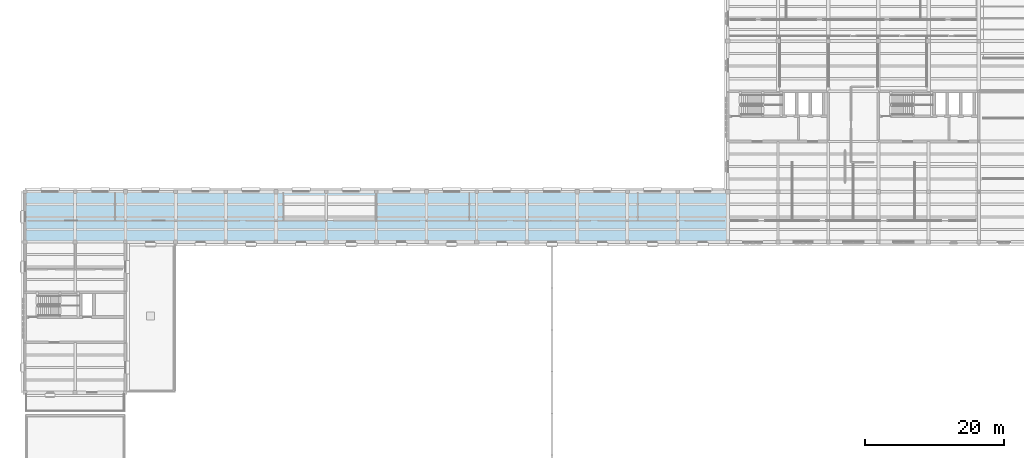
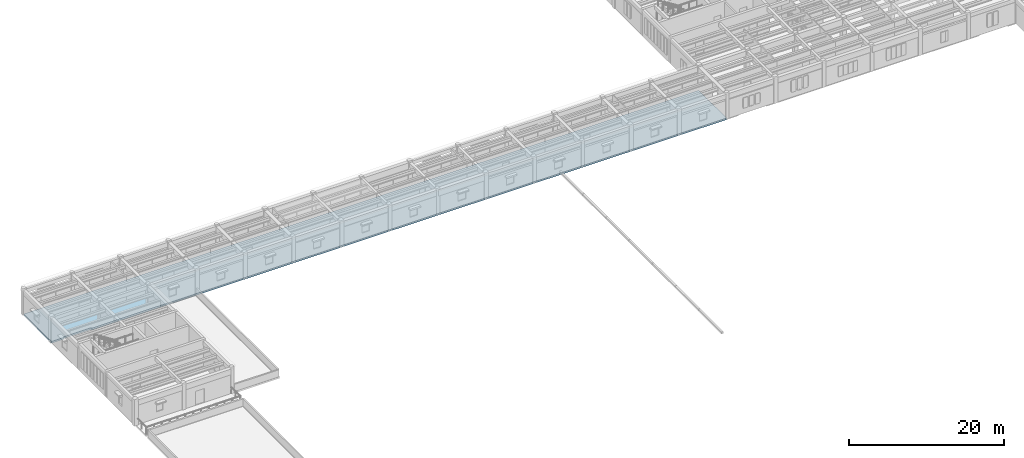
# One storey, part 7 of 27: 1 slab.
"""IFC4 building model written with IfcOpenShell, lengths in metres."""

from ifc_helpers import new_model, si_unit, direction, frame, origin, place, context, subcontext, project, spatial, polyline, outline, extrude, material, layer, layer_set, type_object, element, save


model = new_model("IFC4")

# Units and contexts
model_context = context("Model", 3, precision=1e-05, world=origin(), true_north=direction((0.0, 1.0)))
body_context = subcontext(model_context, "Body", "Model", "MODEL_VIEW")
ifc_project = project(units=[si_unit("LENGTHUNIT", "METRE"), si_unit("AREAUNIT", "SQUARE_METRE"), si_unit("VOLUMEUNIT", "CUBIC_METRE"), si_unit("PLANEANGLEUNIT", "RADIAN"), si_unit("MASSUNIT", "GRAM", prefix="KILO")], contexts=[model_context])

# Site, building, storey
site_placement = place(None, origin())
site = spatial("IfcSite", under=ifc_project, at=site_placement, CompositionType="ELEMENT")
building_placement = place(site_placement, origin())
building = spatial("IfcBuilding", under=site, at=building_placement, Name="Mithqara Police Headquarters", CompositionType="ELEMENT")
storey_placement = place(building_placement, frame((0.0, 0.0, 18.0)))
storey = spatial("IfcBuildingStorey", under=building, at=storey_placement, Name="L04", CompositionType="ELEMENT", Elevation=18.0)

# Slab
ifc_material = material(Name="Concrete C40/50", Category="concrete")
ifc_layer = layer(ifc_material, 0.260009765625, Name="Concrete C40/50")
ifc_layer_set = layer_set([ifc_layer], Name="Concrete C40/50")
slab_type = type_object("IfcSlabType", Name="FLOOR SLAB 260", PredefinedType="FLOOR", material=ifc_layer_set)
slab_placement = place(storey_placement, frame((0.0, 0.0, -0.260009765625)))
element("IfcSlab", 1, at=slab_placement, inside=storey, type_object=slab_type, Name="L04 Structural Slab L04-V5N", PredefinedType="FLOOR", context=body_context, shape_type="SweptSolid", body=[
    extrude(outline(polyline([(13.800048828125, 78.60009765625), (13.800048828125, 78.739990234375), (9.60009765625, 78.739990234375), (9.60009765625, 78.60009765625), (7.800048828125, 78.60009765625), (7.800048828125, 85.800048828125), (108.60009765625, 85.800048828125), (108.60009765625, 78.60009765625), (13.800048828125, 78.60009765625)])), origin(), (0.0, 0.0, 1.0), 0.260009765625),
])

save(model, "model.ifc")
